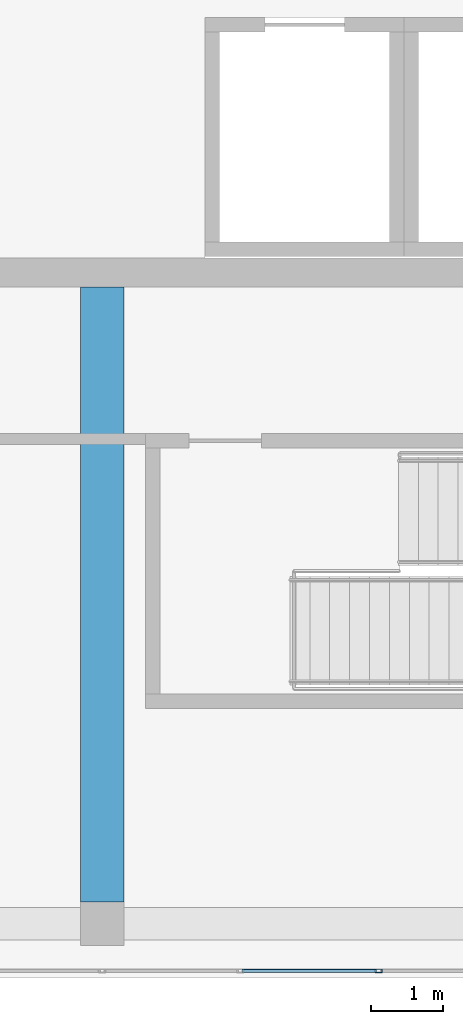
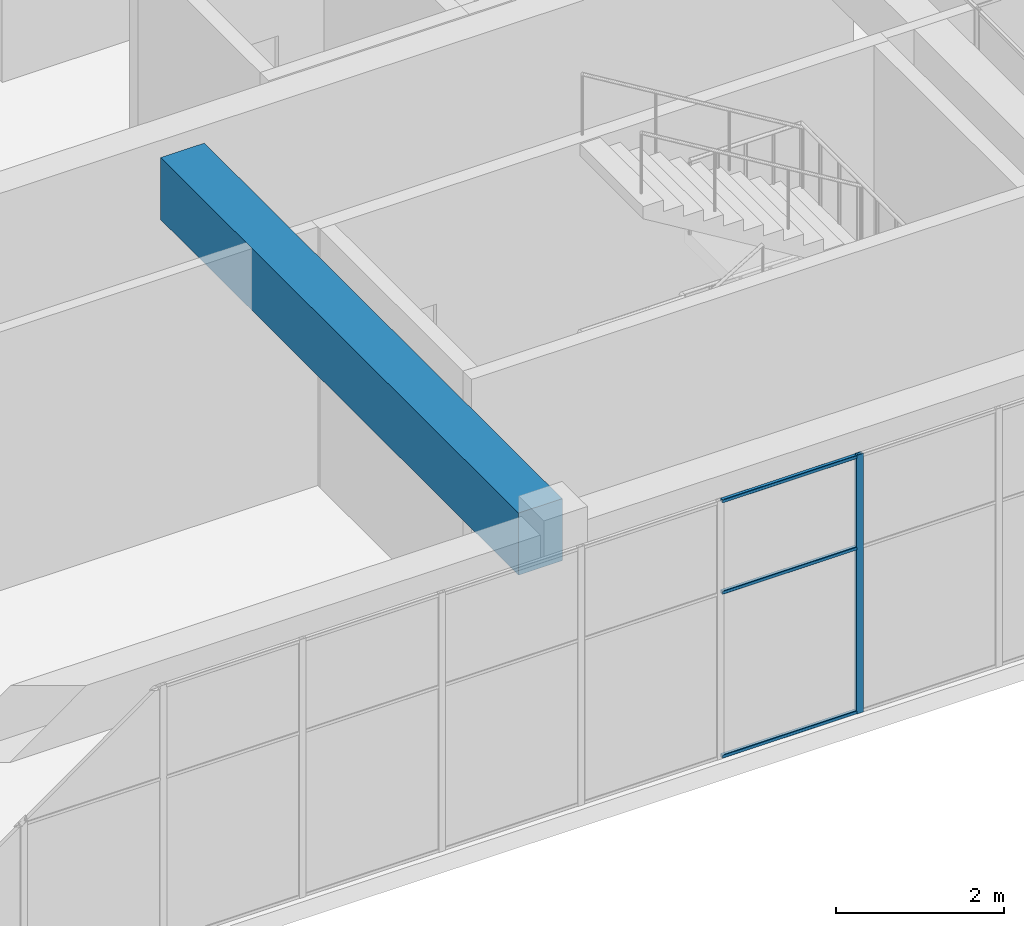
# One storey, part 7 of 35: 4 members, 1 beam, 1 element without a shape of its own.
"""IFC4 building model written with IfcOpenShell, lengths in metres."""

from ifc_helpers import new_model, si_unit, direction, frame, origin, origin_2d, place, context, subcontext, project, spatial, rectangle, hollow_rectangle, extrude, material, layer, layer_set, material_profile, profile_set, type_object, element, aggregate, save


model = new_model("IFC4")

# Units and contexts
model_context = context("Model", 3, precision=1e-05, world=origin(), true_north=direction((0.0, 1.0)))
body_context = subcontext(model_context, "Body", "Model", "MODEL_VIEW")
ifc_project = project(units=[si_unit("LENGTHUNIT", "METRE"), si_unit("AREAUNIT", "SQUARE_METRE"), si_unit("VOLUMEUNIT", "CUBIC_METRE"), si_unit("PLANEANGLEUNIT", "RADIAN"), si_unit("MASSUNIT", "GRAM", prefix="KILO")], contexts=[model_context])

# Site, building, storey
site_placement = place(None, origin())
site = spatial("IfcSite", under=ifc_project, at=site_placement, CompositionType="ELEMENT")
building_placement = place(site_placement, origin())
building = spatial("IfcBuilding", under=site, at=building_placement, Name="Tuart Plaza Theatre", CompositionType="ELEMENT")
storey_placement = place(building_placement, frame((0.0, 0.0, 45.5)))
storey = spatial("IfcBuildingStorey", under=building, at=storey_placement, Name="L11", CompositionType="ELEMENT", Elevation=45.5)

# Beam
ifc_material_1 = material(Name="Concrete N40 (40 MPa)", Category="concrete")
ifc_material_profile_1 = material_profile(ifc_material_1, rectangle(XDim=0.60009765625, YDim=0.89990234375, at=origin_2d()), Name="BEAM 600x900 Concrete N40 (40 MPa)")
ifc_profile_set_1 = profile_set([ifc_material_profile_1], Name="Concrete N40 (40 MPa)")
beam_type = type_object("IfcBeamType", Name="BEAM 600x900 Concrete N40 (40 MPa)", PredefinedType="BEAM", material=ifc_profile_set_1)
beam_placement = place(storey_placement, frame((132.0, 56.300048828125, 3.300048828125), z_axis=(0.0, 1.0, 0.0), x_axis=(-1.0, 0.0, 0.0)))
element("IfcBeam", 1, at=beam_placement, inside=storey, type_object=beam_type, Name="RB300", PredefinedType="BEAM", context=body_context, shape_type="SweptSolid", body=[
    extrude(rectangle(XDim=0.60009765625, YDim=0.89990234375, at=origin_2d()), origin(), (0.0, 0.0, 1.0), 8.5),
])

# Curtain wall, members
ifc_material_2 = material(Name="Aluminium and glass", Category="aluminium")
ifc_layer = layer(ifc_material_2, 0.10009765625)
ifc_layer_set = layer_set([ifc_layer], Name="CURTAIN WALL 2000 module")
curtain_wall_type = type_object("IfcCurtainWallType", Name="CURTAIN WALL 2000 module", PredefinedType="NOTDEFINED", material=ifc_layer_set)
curtain_wall_placement = place(storey_placement, origin())
curtain_wall = element("IfcCurtainWall", 2, at=curtain_wall_placement, inside=storey, type_object=curtain_wall_type, Name="CW111", PredefinedType="NOTDEFINED")
ifc_material_3 = material(Name="Aluminium 6063-T5", Category="aluminium")
ifc_material_profile_2 = material_profile(ifc_material_3, hollow_rectangle(XDim=0.050048828125, YDim=0.10009765625, WallThickness=0.00390625, InnerFilletRadius=0.00390625, OuterFilletRadius=0.008056640625, at=origin_2d()), Name="RHS 100x50x4")
ifc_profile_set_2 = profile_set([ifc_material_profile_2], Name="Aluminium 6063-T5")
member_type_1 = type_object("IfcMemberType", Name="MULLION RHS 100x50x4", PredefinedType="MULLION", material=ifc_profile_set_2)
member_1_placement = place(storey_placement, frame((135.820068359375, 55.35009765625, 0.0), z_axis=(0.0, 0.0, 1.0), x_axis=(0.0, 1.0, 0.0)))
member_1 = element("IfcMember", 3, at=member_1_placement, type_object=member_type_1, Name="CW111 mullion 8", PredefinedType="MULLION", context=body_context, shape_type="SweptSolid", body=[
    extrude(hollow_rectangle(XDim=0.050048828125, YDim=0.10009765625, WallThickness=0.00390625, InnerFilletRadius=0.00390625, OuterFilletRadius=0.008056640625, at=origin_2d()), origin(), (0.0, 0.0, 1.0), 3.75),
])
ifc_material_4 = material(Name="Aluminium 6063-T5", Category="aluminium")
ifc_material_profile_3 = material_profile(ifc_material_4, hollow_rectangle(XDim=0.050048828125, YDim=0.050048828125, WallThickness=0.00390625, InnerFilletRadius=0.00390625, OuterFilletRadius=0.008056640625, at=origin_2d()), Name="RHS 50x50x4")
ifc_profile_set_3 = profile_set([ifc_material_profile_3], Name="Aluminium 6063-T5")
member_type_2 = type_object("IfcMemberType", Name="TRANSOM RHS 50x50x4", PredefinedType="USERDEFINED", material=ifc_profile_set_3)
member_2_placement = place(storey_placement, frame((133.93505859375, 55.35009765625, 0.02490234375), z_axis=(1.0, 0.0, 0.0), x_axis=(0.0, 1.0, 0.0)))
member_2 = element("IfcMember", 4, at=member_2_placement, type_object=member_type_2, Name="CW111 transom 7.1", ObjectType="TRANSOM", PredefinedType="USERDEFINED", context=body_context, shape_type="SweptSolid", body=[
    extrude(hollow_rectangle(XDim=0.050048828125, YDim=0.050048828125, WallThickness=0.00390625, InnerFilletRadius=0.00390625, OuterFilletRadius=0.008056640625, at=origin_2d()), origin(), (0.0, 0.0, 1.0), 1.85986328125),
])
member_3_placement = place(storey_placement, frame((133.93505859375, 55.35009765625, 2.39990234375), z_axis=(1.0, 0.0, 0.0), x_axis=(0.0, 1.0, 0.0)))
member_3 = element("IfcMember", 5, at=member_3_placement, type_object=member_type_2, Name="CW111 transom 7.2", ObjectType="TRANSOM", PredefinedType="USERDEFINED", context=body_context, shape_type="SweptSolid", body=[
    extrude(hollow_rectangle(XDim=0.050048828125, YDim=0.050048828125, WallThickness=0.00390625, InnerFilletRadius=0.00390625, OuterFilletRadius=0.008056640625, at=origin_2d()), origin(), (0.0, 0.0, 1.0), 1.85986328125),
])
member_4_placement = place(storey_placement, frame((133.93505859375, 55.35009765625, 3.72509765625), z_axis=(1.0, 0.0, 0.0), x_axis=(0.0, 1.0, 0.0)))
member_4 = element("IfcMember", 6, at=member_4_placement, type_object=member_type_2, Name="CW111 transom 7.3", ObjectType="TRANSOM", PredefinedType="USERDEFINED", context=body_context, shape_type="SweptSolid", body=[
    extrude(hollow_rectangle(XDim=0.050048828125, YDim=0.050048828125, WallThickness=0.00390625, InnerFilletRadius=0.00390625, OuterFilletRadius=0.008056640625, at=origin_2d()), origin(), (0.0, 0.0, 1.0), 1.85986328125),
])
aggregate(curtain_wall, [member_1, member_2, member_3, member_4])

save(model, "model.ifc")
